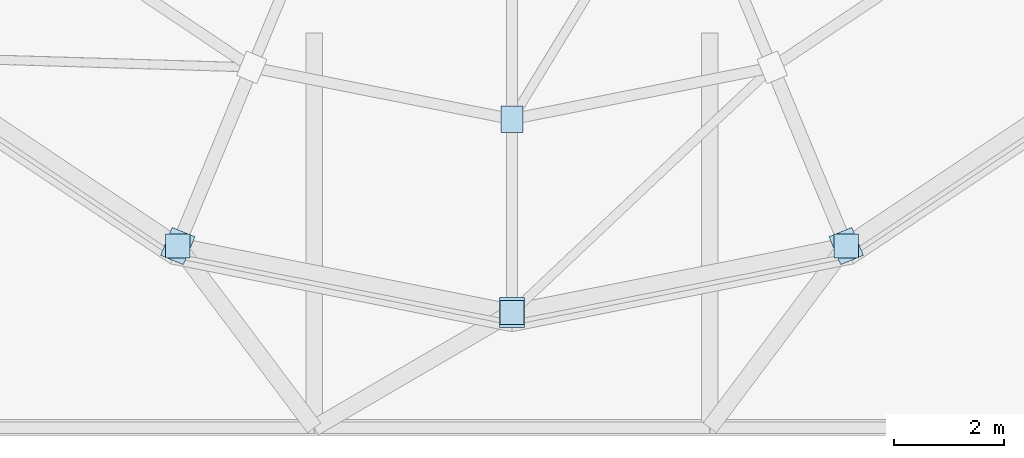
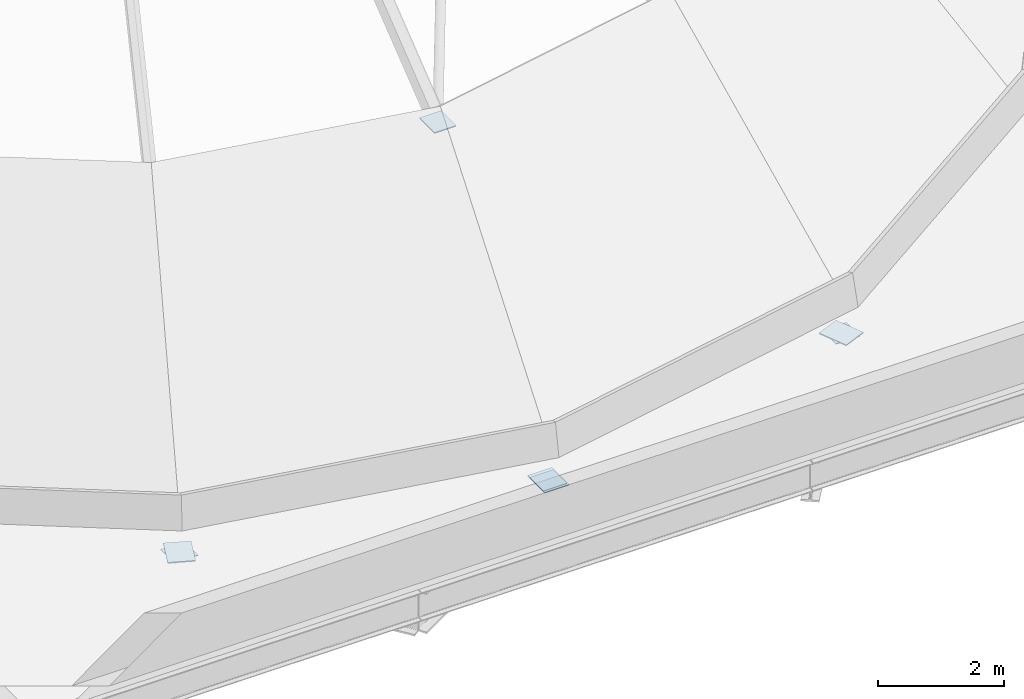
# One storey, part 34 of 66: 7 plates.
"""IFC4 building model written with IfcOpenShell, lengths in metres."""

from ifc_helpers import new_model, si_unit, direction, frame, origin, origin_2d, place, context, subcontext, project, spatial, rectangle, extrude, material, layer, layer_set, type_object, element, save


model = new_model("IFC4")

# Units and contexts
model_context = context("Model", 3, precision=1e-05, world=origin(), true_north=direction((0.0, 1.0)))
body_context = subcontext(model_context, "Body", "Model", "MODEL_VIEW")
ifc_project = project(units=[si_unit("LENGTHUNIT", "METRE"), si_unit("AREAUNIT", "SQUARE_METRE"), si_unit("VOLUMEUNIT", "CUBIC_METRE"), si_unit("PLANEANGLEUNIT", "RADIAN"), si_unit("MASSUNIT", "GRAM", prefix="KILO")], contexts=[model_context])

# Site, building, storey
site_placement = place(None, origin())
site = spatial("IfcSite", under=ifc_project, at=site_placement, CompositionType="ELEMENT")
building_placement = place(site_placement, origin())
building = spatial("IfcBuilding", under=site, at=building_placement, Name="Narikvali Park Central Library", CompositionType="ELEMENT")
storey_placement = place(building_placement, frame((0.0, 0.0, 18.60009765625)))
storey = spatial("IfcBuildingStorey", under=building, at=storey_placement, Name="L04", CompositionType="ELEMENT", Elevation=18.60009765625)

# Plates
ifc_material = material(Name="Steel S355", Category="steel")
ifc_layer_1 = layer(ifc_material, 0.02001953125, Name="Steel S355")
ifc_layer_set_1 = layer_set([ifc_layer_1], Name="Steel S355")
plate_type_1 = type_object("IfcPlateType", Name="Dome Ring Node Gusset Plate 20", PredefinedType="SHEET", material=ifc_layer_set_1)
for number, where, z_axis, x_axis, name in (
    (1, (76.71533203125, 60.910400390625, -0.66015625), (0.0, 0.0, 1.0), (-0.382683432365, -0.923879532511, 0.0), "Dome Ring Node Plate ND-12"),
    (2, (82.800048828125, 59.699951171875, -0.66015625), (0.0, 0.0, 1.0), (0.0, -1.0, 0.0), "Dome Ring Node Plate ND-13"),
    (3, (88.884765625, 60.910400390625, -0.66015625), (0.0, 0.0, 1.0), (0.382683432365, -0.923879532511, 0.0), "Dome Ring Node Plate ND-14"),
):
    element("IfcPlate", number, at=place(storey_placement, frame(where, z_axis=z_axis, x_axis=x_axis)), inside=storey, type_object=plate_type_1, Name=name, PredefinedType="SHEET", context=body_context, shape_type="SweptSolid", body=[
        extrude(rectangle(XDim=0.550048828125, YDim=0.449951171875, at=origin_2d()), origin(), (0.0, 0.0, 1.0), 0.02001953125),
    ])
plate_placement = place(storey_placement, frame((82.800048828125, 63.219970703125, 4.169921875), z_axis=(0.0, 0.0, 1.0), x_axis=(0.0, -1.0, 0.0)))
element("IfcPlate", 4, at=plate_placement, inside=storey, type_object=plate_type_1, Name="Dome Hoop Node Gusset Plate T1-13", PredefinedType="SHEET", context=body_context, shape_type="SweptSolid", body=[
    extrude(rectangle(XDim=0.47998046875, YDim=0.39990234375, at=origin_2d()), origin(), (0.0, 0.0, 1.0), 0.02001953125),
])
ifc_layer_2 = layer(ifc_material, 0.013916015625, Name="Steel S355")
ifc_layer_set_2 = layer_set([ifc_layer_2], Name="Steel S355")
plate_type_2 = type_object("IfcPlateType", Name="Steel Hollow End Cap Plate 14", PredefinedType="SHEET", material=ifc_layer_set_2)
for number, where, z_axis, x_axis, name in (
    (5, (76.71435546875, 60.908203125, -0.66015625), (0.0, 0.0, 1.0), (1.0, 0.0, 0.0), "Hollow Section Steel End Cap DOME-RCAP-B-12"),
    (6, (82.800048828125, 59.697509765625, -0.66015625), (0.0, 0.0, 1.0), (1.0, 0.0, 0.0), "Hollow Section Steel End Cap DOME-RCAP-B-13"),
    (7, (88.885498046875, 60.908203125, -0.66015625), (0.0, 0.0, 1.0), (1.0, 0.0, 0.0), "Hollow Section Steel End Cap DOME-RCAP-B-14"),
):
    element("IfcPlate", number, at=place(storey_placement, frame(where, z_axis=z_axis, x_axis=x_axis)), inside=storey, type_object=plate_type_2, Name=name, PredefinedType="SHEET", context=body_context, shape_type="SweptSolid", body=[
        extrude(rectangle(XDim=0.43994140625, YDim=0.43994140625, at=origin_2d()), origin(), (0.0, 0.0, 1.0), 0.013916015625),
    ])

save(model, "model.ifc")
